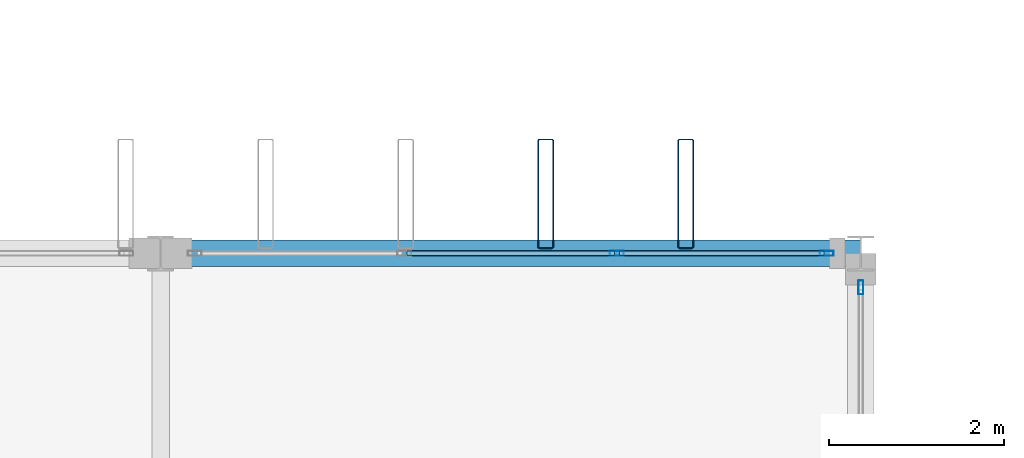
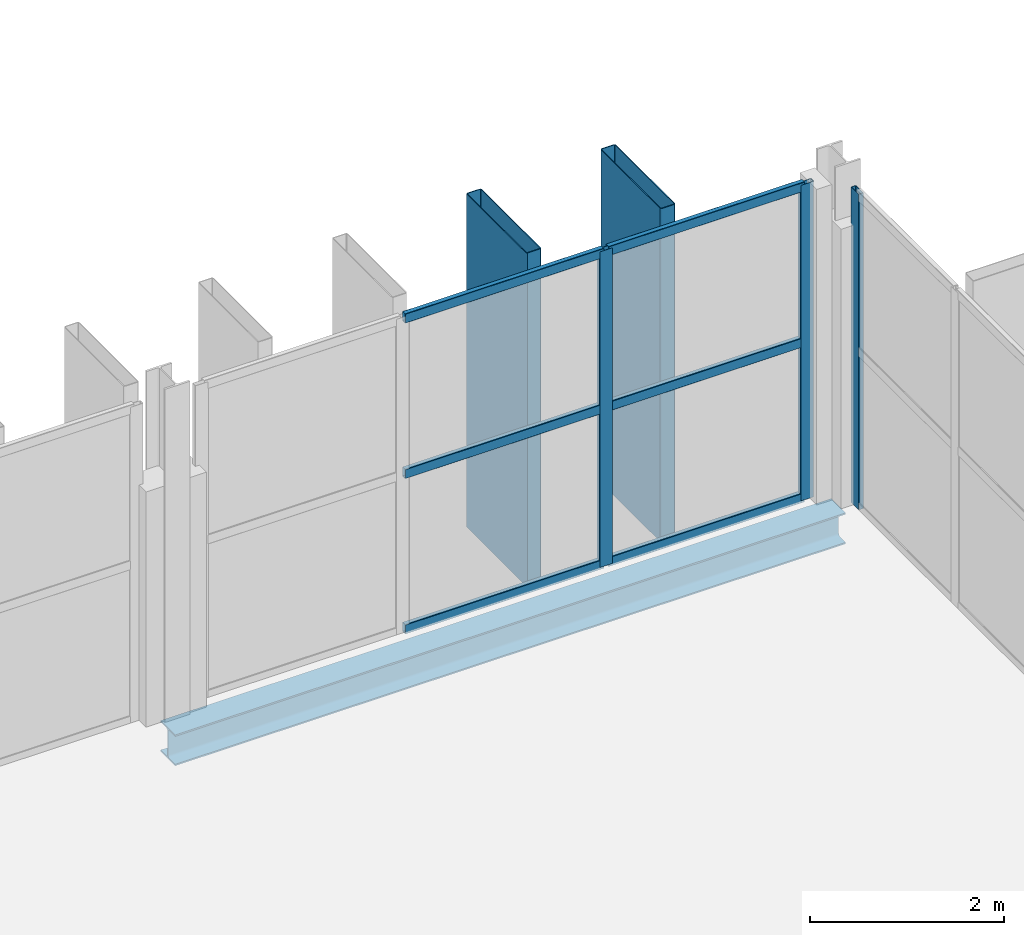
# One storey, part 50 of 101: 11 members, 1 beam, 2 elements without a shape of their own.
"""IFC4 building model written with IfcOpenShell, lengths in metres."""

import ifcopenshell
import ifcopenshell.guid

model = None  # the IFC model being written
_history = None  # IfcOwnerHistory: only IFC2X3 demands one
_inside = {}  # id of a spatial element -> (the spatial element, [elements in it])
_under = {}  # id of a project, library or spatial element -> (it, [spatial elements below it])
_declared = {}  # id of a project -> (the project, [libraries it declares])
_typed = {}  # id of a type object -> (the type object, [elements of that type])
_made_of = {}  # id of a material, layer set ... -> (it, [elements and type objects made of it])


def new_model(schema):
    """Start an empty IFC model of exactly this schema.

    Asked for "IFC4X3", IfcOpenShell would pick the latest addendum, in which some entities
    have other attributes; the version numbers below select the first issue.
    IFC2X3 requires an IfcOwnerHistory on every rooted entity: one is made here for all.
    """
    global model, _history
    if schema == "IFC4X3":
        model = ifcopenshell.file(schema_version=(4, 3, 0, 0))
    else:
        model = ifcopenshell.file(schema=schema)
    _inside.clear()
    _under.clear()
    _declared.clear()
    _typed.clear()
    _made_of.clear()
    _history = None
    if model.schema == "IFC2X3":
        org = make("IfcOrganization", Name="unknown")
        user = make(
            "IfcPersonAndOrganization",
            ThePerson=make("IfcPerson", FamilyName="unknown"),
            TheOrganization=org,
        )
        app = make(
            "IfcApplication",
            ApplicationDeveloper=org,
            Version="unknown",
            ApplicationFullName="unknown",
            ApplicationIdentifier="unknown",
        )
        _history = make(
            "IfcOwnerHistory",
            OwningUser=user,
            OwningApplication=app,
            ChangeAction="ADDED",
            CreationDate=0,
        )
    return model


def make(cls, **values):
    """One entity of the class cls with the attributes given. An attribute that is None is left unset."""
    return model.create_entity(
        cls, **{name: value for name, value in values.items() if value is not None}
    )


def rooted(cls, **values):
    """An entity with a GlobalId (a new one), such as an element, a storey or a relation."""
    return make(cls, GlobalId=ifcopenshell.guid.new(), OwnerHistory=_history, **values)


def si_unit(unit_type, name, prefix=None):
    """IfcSIUnit, for example si_unit("LENGTHUNIT", "METRE", prefix="MILLI")."""
    return make("IfcSIUnit", UnitType=unit_type, Prefix=prefix, Name=name)


def assignment(units):
    """IfcUnitAssignment: the units of a project."""
    return None if units is None else make("IfcUnitAssignment", Units=units)


def point(xyz):
    """IfcCartesianPoint."""
    return None if xyz is None else make("IfcCartesianPoint", Coordinates=xyz)


def direction(xyz):
    """IfcDirection."""
    return None if xyz is None else make("IfcDirection", DirectionRatios=xyz)


def frame(location, z_axis=None, x_axis=None):
    """IfcAxis2Placement3D, a coordinate frame: its origin and axes. An axis left out is left unset."""
    return make(
        "IfcAxis2Placement3D",
        Location=point(location),
        Axis=direction(z_axis),
        RefDirection=direction(x_axis),
    )


def frame_2d(location, x_axis=None):
    """IfcAxis2Placement2D, a coordinate frame in the plane: its origin and x axis."""
    return make(
        "IfcAxis2Placement2D", Location=point(location), RefDirection=direction(x_axis)
    )


def origin():
    """The frame at (0, 0, 0) with its axes left unset."""
    return frame((0.0, 0.0, 0.0))


def origin_2d():
    """The frame at (0, 0) in the plane with its x axis left unset."""
    return frame_2d((0.0, 0.0))


def place(relative_to, where):
    """IfcLocalPlacement: puts the frame where relative to a parent placement (None: the world)."""
    return make(
        "IfcLocalPlacement", PlacementRelTo=relative_to, RelativePlacement=where
    )


def context(
    kind, dimensions, precision=None, world=None, true_north=None, identifier=None
):
    """IfcGeometricRepresentationContext, for example the 3D "Model" context."""
    return make(
        "IfcGeometricRepresentationContext",
        ContextIdentifier=identifier,
        ContextType=kind,
        CoordinateSpaceDimension=dimensions,
        Precision=precision,
        WorldCoordinateSystem=world,
        TrueNorth=true_north,
    )


def subcontext(parent, identifier, kind, view, scale=None):
    """IfcGeometricRepresentationSubContext, for example "Body" below "Model"."""
    return make(
        "IfcGeometricRepresentationSubContext",
        ContextIdentifier=identifier,
        ContextType=kind,
        ParentContext=parent,
        TargetScale=scale,
        TargetView=view,
    )


def project(units=None, contexts=None):
    """IfcProject with its units and contexts."""
    return rooted(
        "IfcProject",
        Name="project",
        RepresentationContexts=contexts,
        UnitsInContext=assignment(units),
    )


def spatial(cls, under=None, at=None, **own):
    """A site, building, storey or space (cls), placed at a placement, below another one or the project."""
    s = rooted(cls, ObjectPlacement=at, **own)
    if under is not None:
        _under.setdefault(under.id(), (under, []))[1].append(s)
    return s


def profile(cls, at=None, kind="AREA", **sizes):
    """A parametric profile (cls). Its sizes go by their IFC names, for example OverallWidth=200.0."""
    return make(cls, ProfileType=kind, Position=at, **sizes)


def hollow_rectangle(**sizes):
    """IfcRectangleHollowProfileDef."""
    return profile("IfcRectangleHollowProfileDef", **sizes)


def i_section(**sizes):
    """IfcIShapeProfileDef."""
    return profile("IfcIShapeProfileDef", **sizes)


def extrude(swept, where, along, depth):
    """IfcExtrudedAreaSolid: the profile swept, set in the frame where, extruded along a direction by depth."""
    return make(
        "IfcExtrudedAreaSolid",
        SweptArea=swept,
        Position=where,
        ExtrudedDirection=direction(along),
        Depth=depth,
    )


def shape(context_of_items, identifier, shape_type, items):
    """IfcShapeRepresentation: the items that make up one representation, for example the "Body"."""
    return make(
        "IfcShapeRepresentation",
        ContextOfItems=context_of_items,
        RepresentationIdentifier=identifier,
        RepresentationType=shape_type,
        Items=items,
    )


def material(Name=None, Category=None):
    """IfcMaterial."""
    return make("IfcMaterial", Name=Name, Category=Category)


def layer(
    of_material, thickness, ventilated=None, Name=None, Category=None, Priority=None
):
    """IfcMaterialLayer: one layer of a wall or slab, of a material (None: an air gap)."""
    return make(
        "IfcMaterialLayer",
        Material=of_material,
        LayerThickness=thickness,
        IsVentilated=ventilated,
        Name=Name,
        Category=Category,
        Priority=Priority,
    )


def layer_set(layers, Name=None):
    """IfcMaterialLayerSet."""
    return make("IfcMaterialLayerSet", MaterialLayers=layers, LayerSetName=Name)


def material_profile(
    of_material, cross_section, Name=None, Category=None, Priority=None
):
    """IfcMaterialProfile: a cross section and its material."""
    return make(
        "IfcMaterialProfile",
        Name=Name,
        Material=of_material,
        Profile=cross_section,
        Priority=Priority,
        Category=Category,
    )


def profile_set(profiles, Name=None, composite=None):
    """IfcMaterialProfileSet."""
    return make(
        "IfcMaterialProfileSet",
        Name=Name,
        MaterialProfiles=profiles,
        CompositeProfile=composite,
    )


def made_of(thing, what):
    """Note that an element or type object is made of a material, layer set ...; save() writes the relation."""
    if what is not None:
        _made_of.setdefault(what.id(), (what, []))[1].append(thing)
    return thing


def type_object(cls, material=None, **own):
    """A type object (cls), such as IfcWallType, which elements share."""
    return made_of(rooted(cls, **own), material)


def element(
    cls,
    number,
    at=None,
    inside=None,
    cuts=None,
    type_object=None,
    material=None,
    context=None,
    identifier="Body",
    shape_type=None,
    held_by="IfcProductDefinitionShape",
    body=None,
    shapes=None,
    **own,
):
    """One element of the class cls, such as IfcWall. Its Tag is "e" and its number.

    at: its placement. inside: the storey or other place that contains it. cuts: it is an
    opening in that element (IfcRelVoidsElement). A single representation is given by context,
    identifier, shape_type and body (its items); several are given by shapes. held_by: the class
    of the entity that holds the representations. save() writes the other relations.
    """
    e = rooted(cls, Tag="e%d" % number, ObjectPlacement=at, **own)
    if body is not None:
        shapes = [shape(context, identifier, shape_type, body)]
    if shapes is not None:
        e.Representation = make(held_by, Representations=shapes)
    if inside is not None:
        _inside.setdefault(inside.id(), (inside, []))[1].append(e)
    if cuts is not None:
        rooted(
            "IfcRelVoidsElement", RelatingBuildingElement=cuts, RelatedOpeningElement=e
        )
    if type_object is not None:
        _typed.setdefault(type_object.id(), (type_object, []))[1].append(e)
    return made_of(e, material)


def aggregate(whole, parts):
    """IfcRelAggregates: a whole, such as a stair, and the parts it consists of."""
    return rooted("IfcRelAggregates", RelatingObject=whole, RelatedObjects=parts)


def save(model, path):
    """Write the relations noted so far, then the file.

    IfcRelAggregates (storeys below a building ...), IfcRelContainedInSpatialStructure (elements
    in a storey), IfcRelDefinesByType, IfcRelAssociatesMaterial and IfcRelDeclares: one each for
    every whole, place, type object, material and project.
    """
    for whole, parts in _under.values():
        aggregate(whole, parts)
    for where, things in _inside.values():
        rooted(
            "IfcRelContainedInSpatialStructure",
            RelatedElements=things,
            RelatingStructure=where,
        )
    for kind, things in _typed.values():
        rooted("IfcRelDefinesByType", RelatedObjects=things, RelatingType=kind)
    for what, things in _made_of.values():
        rooted("IfcRelAssociatesMaterial", RelatedObjects=things, RelatingMaterial=what)
    for by, libraries in _declared.values():
        rooted("IfcRelDeclares", RelatingContext=by, RelatedDefinitions=libraries)
    model.write(path)


model = new_model("IFC4")

# Units and contexts
model_context = context("Model", 3, precision=1e-05, world=origin(), true_north=direction((0.0, 1.0)))
body_context = subcontext(model_context, "Body", "Model", "MODEL_VIEW")
ifc_project = project(units=[si_unit("LENGTHUNIT", "METRE"), si_unit("AREAUNIT", "SQUARE_METRE"), si_unit("VOLUMEUNIT", "CUBIC_METRE"), si_unit("PLANEANGLEUNIT", "RADIAN"), si_unit("MASSUNIT", "GRAM", prefix="KILO")], contexts=[model_context])

# Site, building, storey
site_placement = place(None, origin())
site = spatial("IfcSite", under=ifc_project, at=site_placement, CompositionType="ELEMENT")
building_placement = place(site_placement, origin())
building = spatial("IfcBuilding", under=site, at=building_placement, Name="Vekula Escarpment Museum", CompositionType="ELEMENT")
storey_placement = place(building_placement, frame((0.0, 0.0, 18.0)))
storey = spatial("IfcBuildingStorey", under=building, at=storey_placement, Name="L04", CompositionType="ELEMENT", Elevation=18.0)

# Beam
ifc_material_1 = material(Name="Steel S355", Category="steel")
ifc_material_profile_1 = material_profile(ifc_material_1, i_section(OverallWidth=0.300048828125, OverallDepth=0.389892578125, WebThickness=0.010986328125, FlangeThickness=0.01904296875, FilletRadius=0.027099609375, at=origin_2d()), Name="HEA 400")
ifc_profile_set_1 = profile_set([ifc_material_profile_1], Name="Steel S355")
beam_type = type_object("IfcBeamType", Name="BM-SPAN-HEA400", PredefinedType="SPANDREL", material=ifc_profile_set_1)
beam_placement = place(storey_placement, frame((118.0, 90.39990234375, -0.43505859375), z_axis=(1.0, 0.0, 0.0), x_axis=(0.0, 1.0, 0.0)))
element("IfcBeam", 1, at=beam_placement, inside=storey, type_object=beam_type, Name="Beam X L04 1788", PredefinedType="SPANDREL", context=body_context, shape_type="SweptSolid", body=[
    extrude(i_section(OverallWidth=0.300048828125, OverallDepth=0.389892578125, WebThickness=0.010986328125, FlangeThickness=0.01904296875, FilletRadius=0.027099609375, at=origin_2d()), origin(), (0.0, 0.0, 1.0), 8.0),
])

# Curtain wall, member
ifc_material_2 = material(Name="Aluminium thermally broken framing", Category="aluminium")
ifc_layer_1 = layer(ifc_material_2, 0.199951171875)
ifc_layer_set_1 = layer_set([ifc_layer_1], Name="Aluminium thermally broken framing")
curtain_wall_type_1 = type_object("IfcCurtainWallType", Name="CW-SYS-03", PredefinedType="NOTDEFINED", material=ifc_layer_set_1)
curtain_wall_1_placement = place(storey_placement, origin())
curtain_wall_1 = element("IfcCurtainWall", 2, at=curtain_wall_1_placement, inside=storey, type_object=curtain_wall_type_1, Name="Curtain Wall CW-L04-153", PredefinedType="NOTDEFINED")
ifc_material_3 = material(Name="Aluminium anodized mullion", Category="aluminium")
ifc_material_profile_2 = material_profile(ifc_material_3, hollow_rectangle(XDim=0.06005859375, YDim=0.159912109375, WallThickness=0.00390625, InnerFilletRadius=0.00390625, OuterFilletRadius=0.008056640625, at=origin_2d()), Name="ALU 160x60x4")
ifc_profile_set_2 = profile_set([ifc_material_profile_2], Name="Aluminium anodized mullion")
member_type_1 = type_object("IfcMemberType", Name="CW-MUL-160", PredefinedType="MULLION", material=ifc_profile_set_2)
member_1_placement = place(storey_placement, frame((126.0, 90.010009765625, 0.0), z_axis=(0.0, 0.0, 1.0), x_axis=(-1.0, 0.0, 0.0)))
member_1 = element("IfcMember", 3, at=member_1_placement, type_object=member_type_1, Name="CW-03 mullion 4", PredefinedType="MULLION", context=body_context, shape_type="SweptSolid", body=[
    extrude(hollow_rectangle(XDim=0.06005859375, YDim=0.159912109375, WallThickness=0.00390625, InnerFilletRadius=0.00390625, OuterFilletRadius=0.008056640625, at=origin_2d()), origin(), (0.0, 0.0, 1.0), 3.97998046875),
])
aggregate(curtain_wall_1, [member_1])

# Curtain wall, members
ifc_material_4 = material(Name="Aluminium thermally broken framing", Category="aluminium")
ifc_layer_2 = layer(ifc_material_4, 0.199951171875)
ifc_layer_set_2 = layer_set([ifc_layer_2], Name="Aluminium thermally broken framing")
curtain_wall_type_2 = type_object("IfcCurtainWallType", Name="CW-SYS-04", PredefinedType="NOTDEFINED", material=ifc_layer_set_2)
curtain_wall_2_placement = place(storey_placement, origin())
curtain_wall_2 = element("IfcCurtainWall", 4, at=curtain_wall_2_placement, inside=storey, type_object=curtain_wall_type_2, Name="Curtain Wall CW-L04-154", PredefinedType="NOTDEFINED")
member_2_placement = place(storey_placement, frame((125.610107421875, 90.39990234375, 0.0), z_axis=(0.0, 0.0, 1.0), x_axis=(0.0, -1.0, 0.0)))
member_2 = element("IfcMember", 5, at=member_2_placement, type_object=member_type_1, Name="CW-04 mullion 1", PredefinedType="MULLION", context=body_context, shape_type="SweptSolid", body=[
    extrude(hollow_rectangle(XDim=0.06005859375, YDim=0.159912109375, WallThickness=0.00390625, InnerFilletRadius=0.00390625, OuterFilletRadius=0.008056640625, at=origin_2d()), origin(), (0.0, 0.0, 1.0), 3.97998046875),
])
member_3_placement = place(storey_placement, frame((123.21337890625, 90.39990234375, 0.0), z_axis=(0.0, 0.0, 1.0), x_axis=(0.0, -1.0, 0.0)))
member_3 = element("IfcMember", 6, at=member_3_placement, type_object=member_type_1, Name="CW-04 mullion 2", PredefinedType="MULLION", context=body_context, shape_type="SweptSolid", body=[
    extrude(hollow_rectangle(XDim=0.06005859375, YDim=0.159912109375, WallThickness=0.00390625, InnerFilletRadius=0.00390625, OuterFilletRadius=0.008056640625, at=origin_2d()), origin(), (0.0, 0.0, 1.0), 3.97998046875),
])
ifc_material_5 = material(Name="Aluminium anodized transom", Category="aluminium")
ifc_material_profile_3 = material_profile(ifc_material_5, hollow_rectangle(XDim=0.06005859375, YDim=0.1201171875, WallThickness=0.00390625, InnerFilletRadius=0.00390625, OuterFilletRadius=0.008056640625, at=origin_2d()), Name="ALU 120x60x4")
ifc_profile_set_3 = profile_set([ifc_material_profile_3], Name="Aluminium anodized transom")
member_type_2 = type_object("IfcMemberType", Name="CW-TRN-120", PredefinedType="USERDEFINED", material=ifc_profile_set_3)
member_4_placement = place(storey_placement, frame((125.580078125, 90.39990234375, 0.030029296875), z_axis=(-1.0, 0.0, 0.0), x_axis=(0.0, -1.0, 0.0)))
member_4 = element("IfcMember", 7, at=member_4_placement, type_object=member_type_2, Name="CW-04 transom 1.1", ObjectType="TRANSOM", PredefinedType="USERDEFINED", context=body_context, shape_type="SweptSolid", body=[
    extrude(hollow_rectangle(XDim=0.06005859375, YDim=0.1201171875, WallThickness=0.00390625, InnerFilletRadius=0.00390625, OuterFilletRadius=0.008056640625, at=origin_2d()), origin(), (0.0, 0.0, 1.0), 2.336669921875),
])
member_5_placement = place(storey_placement, frame((125.580078125, 90.39990234375, 1.989990234375), z_axis=(-1.0, 0.0, 0.0), x_axis=(0.0, -1.0, 0.0)))
member_5 = element("IfcMember", 8, at=member_5_placement, type_object=member_type_2, Name="CW-04 transom 1.2", ObjectType="TRANSOM", PredefinedType="USERDEFINED", context=body_context, shape_type="SweptSolid", body=[
    extrude(hollow_rectangle(XDim=0.06005859375, YDim=0.1201171875, WallThickness=0.00390625, InnerFilletRadius=0.00390625, OuterFilletRadius=0.008056640625, at=origin_2d()), origin(), (0.0, 0.0, 1.0), 2.336669921875),
])
member_6_placement = place(storey_placement, frame((125.580078125, 90.39990234375, 3.949951171875), z_axis=(-1.0, 0.0, 0.0), x_axis=(0.0, -1.0, 0.0)))
member_6 = element("IfcMember", 9, at=member_6_placement, type_object=member_type_2, Name="CW-04 transom 1.3", ObjectType="TRANSOM", PredefinedType="USERDEFINED", context=body_context, shape_type="SweptSolid", body=[
    extrude(hollow_rectangle(XDim=0.06005859375, YDim=0.1201171875, WallThickness=0.00390625, InnerFilletRadius=0.00390625, OuterFilletRadius=0.008056640625, at=origin_2d()), origin(), (0.0, 0.0, 1.0), 2.336669921875),
])
member_7_placement = place(storey_placement, frame((123.183349609375, 90.39990234375, 0.030029296875), z_axis=(-1.0, 0.0, 0.0), x_axis=(0.0, -1.0, 0.0)))
member_7 = element("IfcMember", 10, at=member_7_placement, type_object=member_type_2, Name="CW-04 transom 2.1", ObjectType="TRANSOM", PredefinedType="USERDEFINED", context=body_context, shape_type="SweptSolid", body=[
    extrude(hollow_rectangle(XDim=0.06005859375, YDim=0.1201171875, WallThickness=0.00390625, InnerFilletRadius=0.00390625, OuterFilletRadius=0.008056640625, at=origin_2d()), origin(), (0.0, 0.0, 1.0), 2.36669921875),
])
member_8_placement = place(storey_placement, frame((123.183349609375, 90.39990234375, 1.989990234375), z_axis=(-1.0, 0.0, 0.0), x_axis=(0.0, -1.0, 0.0)))
member_8 = element("IfcMember", 11, at=member_8_placement, type_object=member_type_2, Name="CW-04 transom 2.2", ObjectType="TRANSOM", PredefinedType="USERDEFINED", context=body_context, shape_type="SweptSolid", body=[
    extrude(hollow_rectangle(XDim=0.06005859375, YDim=0.1201171875, WallThickness=0.00390625, InnerFilletRadius=0.00390625, OuterFilletRadius=0.008056640625, at=origin_2d()), origin(), (0.0, 0.0, 1.0), 2.36669921875),
])
member_9_placement = place(storey_placement, frame((123.183349609375, 90.39990234375, 3.949951171875), z_axis=(-1.0, 0.0, 0.0), x_axis=(0.0, -1.0, 0.0)))
member_9 = element("IfcMember", 12, at=member_9_placement, type_object=member_type_2, Name="CW-04 transom 2.3", ObjectType="TRANSOM", PredefinedType="USERDEFINED", context=body_context, shape_type="SweptSolid", body=[
    extrude(hollow_rectangle(XDim=0.06005859375, YDim=0.1201171875, WallThickness=0.00390625, InnerFilletRadius=0.00390625, OuterFilletRadius=0.008056640625, at=origin_2d()), origin(), (0.0, 0.0, 1.0), 2.36669921875),
])
aggregate(curtain_wall_2, [member_2, member_3, member_4, member_5, member_6, member_7, member_8, member_9])

# Members
ifc_material_6 = material(Name="Steel S355 weathered bronze solar fin", Category="steel")
ifc_material_profile_4 = material_profile(ifc_material_6, hollow_rectangle(XDim=0.179931640625, YDim=1.25, WallThickness=0.010009765625, InnerFilletRadius=0.010009765625, OuterFilletRadius=0.02001953125, at=origin_2d()), Name="RHS 1250x180x10")
ifc_profile_set_4 = profile_set([ifc_material_profile_4], Name="Steel S355 weathered bronze solar fin")
member_type_3 = type_object("IfcMemberType", Name="MB-SOLAR-FIN", PredefinedType="USERDEFINED", material=ifc_profile_set_4)
for number, where, z_axis, x_axis, name in (
    (13, (122.39990234375, 91.080078125, 0.0), (0.0, 0.0, 1.0), (1.0, 0.0, 0.0), "Great Hall Vertical Solar Fin 0274"),
    (14, (124.0, 91.080078125, 0.0), (0.0, 0.0, 1.0), (1.0, 0.0, 0.0), "Great Hall Vertical Solar Fin 0279"),
):
    element("IfcMember", number, at=place(storey_placement, frame(where, z_axis=z_axis, x_axis=x_axis)), inside=storey, type_object=member_type_3, Name=name, ObjectType="SOLAR FIN", PredefinedType="USERDEFINED", context=body_context, shape_type="SweptSolid", body=[
        extrude(hollow_rectangle(XDim=0.179931640625, YDim=1.25, WallThickness=0.010009765625, InnerFilletRadius=0.010009765625, OuterFilletRadius=0.02001953125, at=origin_2d()), origin(), (0.0, 0.0, 1.0), 4.199951171875),
    ])

save(model, "model.ifc")
